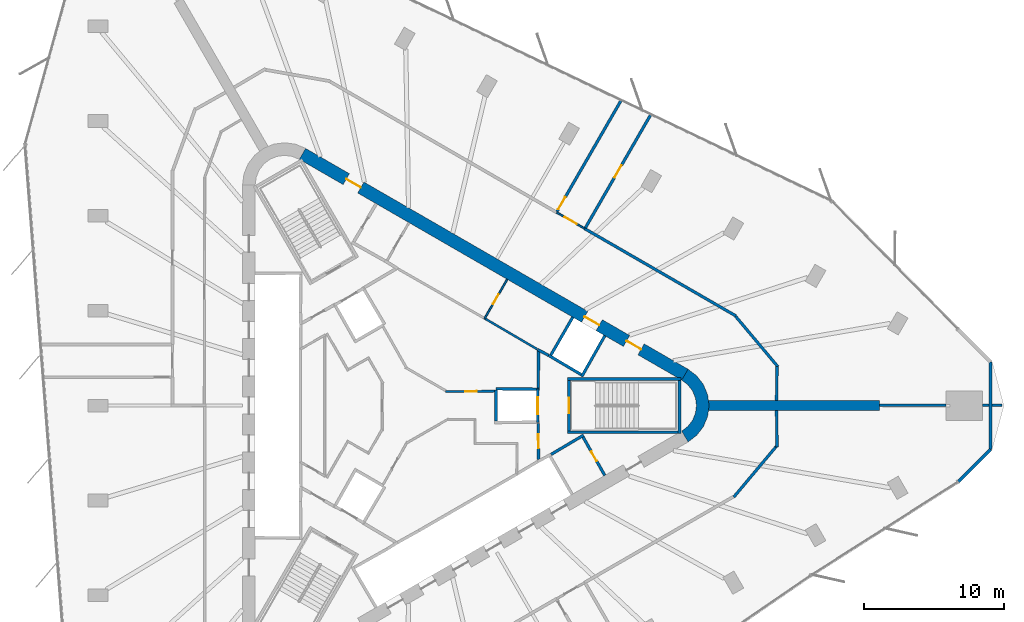
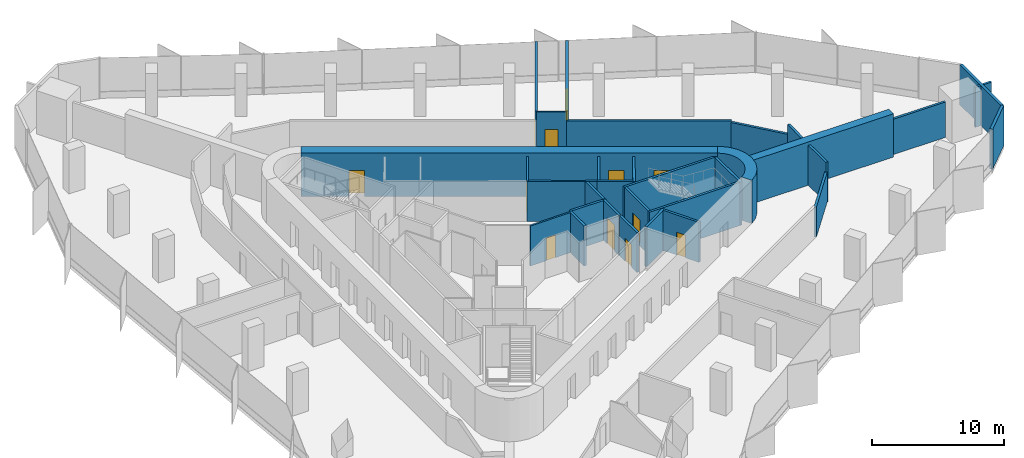
# One storey, part 11 of 13: 34 walls, 12 doors, 12 openings.
"""IFC4 building model written with IfcOpenShell, lengths in metres."""

from ifc_helpers import new_model, si_unit, direction, frame, frame_2d, origin, place, context, subcontext, project, spatial, polyline, rectangle, outline, extrude, material, layer, layer_set, type_object, element, fill, save


model = new_model("IFC4")

# Units and contexts
model_context = context("Model", 3, precision=1e-05, world=origin(), true_north=direction((0.0, 1.0)))
body_context = subcontext(model_context, "Body", "Model", "MODEL_VIEW")
ifc_project = project(units=[si_unit("LENGTHUNIT", "METRE"), si_unit("AREAUNIT", "SQUARE_METRE"), si_unit("VOLUMEUNIT", "CUBIC_METRE"), si_unit("PLANEANGLEUNIT", "RADIAN"), si_unit("MASSUNIT", "GRAM", prefix="KILO")], contexts=[model_context])

# Site, building, storey
site_placement = place(None, origin())
site = spatial("IfcSite", under=ifc_project, at=site_placement, CompositionType="ELEMENT")
building_placement = place(site_placement, origin())
building = spatial("IfcBuilding", under=site, at=building_placement, Name="Tanit Gate Tower", CompositionType="ELEMENT")
storey_placement = place(building_placement, frame((0.0, 0.0, 181.199951171875)))
storey = spatial("IfcBuildingStorey", under=building, at=storey_placement, Name="L39", CompositionType="ELEMENT", Elevation=181.199951171875)

# Wall
ifc_material_1 = material(Name="Concrete C50/60", Category="concrete")
ifc_layer_1 = layer(ifc_material_1, 0.699951171875)
ifc_layer_set_1 = layer_set([ifc_layer_1], Name="BUTTRESS FIN 700 C50/60")
wall_type_1 = type_object("IfcWallType", Name="BUTTRESS FIN 700 C50/60", PredefinedType="SHEAR", material=ifc_layer_set_1)
wall_1_placement = place(storey_placement, frame((21.14990234375, 0.0, 0.0), z_axis=(0.0, 0.0, 1.0), x_axis=(1.0, 0.0, 0.0)))
element("IfcWall", 1, at=wall_1_placement, inside=storey, type_object=wall_type_1, Name="BUTTRESS FIN", PredefinedType="SHEAR", context=body_context, shape_type="SweptSolid", body=[
    extrude(rectangle(XDim=12.2197265625, YDim=0.699951171875, at=frame_2d((6.10986328125, 0.0))), origin(), (0.0, 0.0, 1.0), 4.0),
])

# Wall, openings, doors
ifc_material_2 = material(Name="Concrete C50/60", Category="concrete")
ifc_layer_2 = layer(ifc_material_2, 0.89990234375)
ifc_layer_set_2 = layer_set([ifc_layer_2], Name="CORE WALL 900 C50/60")
wall_type_2 = type_object("IfcWallType", Name="CORE WALL 900 C50/60", PredefinedType="SHEAR", material=ifc_layer_set_2)
wall_2_placement = place(storey_placement, frame((19.47509765625, 2.20849609375, 0.0), z_axis=(0.0, 0.0, 1.0), x_axis=(-0.866028369851, 0.499994862586, 0.0)))
wall_2 = element("IfcWall", 2, at=wall_2_placement, inside=storey, type_object=wall_type_2, Name="CORE WALL", PredefinedType="SHEAR", context=body_context, shape_type="SweptSolid", body=[
    extrude(rectangle(XDim=31.523193359375, YDim=0.89990234375, at=frame_2d((15.76171875, 0.0))), origin(), (0.0, 0.0, 1.0), 4.0),
])
opening_1_placement = place(wall_2_placement, frame((7.0615234375, 0.0, 0.0)))
opening_1 = element("IfcOpeningElement", 3, at=opening_1_placement, cuts=wall_2, Name="Opening LDML8-S10", PredefinedType="OPENING", context=body_context, shape_type="SweptSolid", body=[
    extrude(rectangle(XDim=1.199951171875, YDim=2.39990234375, at=frame_2d((0.60009765625, 1.199951171875))), frame((0.0, 0.4599609375, 0.0), z_axis=(0.0, -1.0, 0.0), x_axis=(1.0, 0.0, 0.0)), (0.0, 0.0, 1.0), 0.919921875),
])
opening_2_placement = place(wall_2_placement, frame((3.611572265625, 0.0, 0.0)))
opening_2 = element("IfcOpeningElement", 4, at=opening_2_placement, cuts=wall_2, Name="Opening F12-S10-FL1", PredefinedType="OPENING", context=body_context, shape_type="SweptSolid", body=[
    extrude(rectangle(XDim=1.199951171875, YDim=2.39990234375, at=frame_2d((0.60009765625, 1.199951171875))), frame((0.0, 0.4599609375, 0.0), z_axis=(0.0, -1.0, 0.0), x_axis=(1.0, 0.0, 0.0)), (0.0, 0.0, 1.0), 0.919921875),
])
opening_3_placement = place(wall_2_placement, frame((26.711669921875, 0.0, 0.0)))
opening_3 = element("IfcOpeningElement", 5, at=opening_3_placement, cuts=wall_2, Name="Opening F12-S10-S2", PredefinedType="OPENING", context=body_context, shape_type="SweptSolid", body=[
    extrude(rectangle(XDim=1.199951171875, YDim=2.39990234375, at=frame_2d((0.60009765625, 1.199951171875))), frame((0.0, 0.4599609375, 0.0), z_axis=(0.0, -1.0, 0.0), x_axis=(1.0, 0.0, 0.0)), (0.0, 0.0, 1.0), 0.919921875),
])
ifc_material_3 = material(Name="Fire-rated steel door leaf", Category="steel")
door_type_1 = type_object("IfcDoorType", Name="INT-DOOR-FIRE-LOBBY-1200", OperationType="NOTDEFINED", PredefinedType="USERDEFINED", material=ifc_material_3)
door_1_placement = place(opening_2_placement, origin())
door_1 = element("IfcDoor", 6, at=door_1_placement, inside=storey, type_object=door_type_1, Name="Door F12-S10-FL1", ObjectType="FIRE DOOR", OperationType="SINGLE_SWING_LEFT", OverallHeight=2.39990234375, OverallWidth=1.199951171875, PredefinedType="USERDEFINED", context=body_context, shape_type="SweptSolid", body=[
    extrude(rectangle(XDim=1.199951171875, YDim=2.39990234375, at=frame_2d((0.60009765625, 1.199951171875))), frame((0.0, 0.02490234375, 0.0), z_axis=(0.0, -1.0, 0.0), x_axis=(1.0, 0.0, 0.0)), (0.0, 0.0, 1.0), 0.050048828125),
])
fill(opening_2, door_1)
door_2_placement = place(opening_3_placement, origin())
door_2 = element("IfcDoor", 7, at=door_2_placement, inside=storey, type_object=door_type_1, Name="Door F12-S10-S2", ObjectType="FIRE DOOR", OperationType="SINGLE_SWING_LEFT", OverallHeight=2.39990234375, OverallWidth=1.199951171875, PredefinedType="USERDEFINED", context=body_context, shape_type="SweptSolid", body=[
    extrude(rectangle(XDim=1.199951171875, YDim=2.39990234375, at=frame_2d((0.60009765625, 1.199951171875))), frame((0.0, 0.02490234375, 0.0), z_axis=(0.0, -1.0, 0.0), x_axis=(1.0, 0.0, 0.0)), (0.0, 0.0, 1.0), 0.050048828125),
])
fill(opening_3, door_2)
ifc_material_4 = material(Name="Stainless steel sliding door leaf", Category="steel")
door_type_2 = type_object("IfcDoorType", Name="INT-DOOR-LANDING-1200", OperationType="NOTDEFINED", PredefinedType="USERDEFINED", material=ifc_material_4)
door_3_placement = place(opening_1_placement, origin())
door_3 = element("IfcDoor", 8, at=door_3_placement, inside=storey, type_object=door_type_2, Name="Door LDML8-S10", ObjectType="LANDING DOOR", OperationType="SLIDING_TO_LEFT", OverallHeight=2.39990234375, OverallWidth=1.199951171875, PredefinedType="USERDEFINED", context=body_context, shape_type="SweptSolid", body=[
    extrude(rectangle(XDim=1.199951171875, YDim=2.39990234375, at=frame_2d((0.60009765625, 1.199951171875))), frame((0.0, 0.02490234375, 0.0), z_axis=(0.0, -1.0, 0.0), x_axis=(1.0, 0.0, 0.0)), (0.0, 0.0, 1.0), 0.050048828125),
])
fill(opening_1, door_3)

# Walls
wall_3_placement = place(storey_placement, origin())
element("IfcWall", 9, at=wall_3_placement, inside=storey, type_object=wall_type_2, Name="CORE WALL CORNER", PredefinedType="SHEAR", context=body_context, shape_type="SweptSolid", body=[
    extrude(outline(polyline([(19.699951171875, -2.59814453125), (20.3212890625, -2.121337890625), (20.798095703125, -1.5), (21.097900390625, -0.776611328125), (21.199951171875, 0.0), (21.097900390625, 0.776611328125), (20.798095703125, 1.5), (20.3212890625, 2.121337890625), (19.699951171875, 2.59814453125), (19.25, 1.818603515625), (19.684814453125, 1.48486328125), (20.018798828125, 1.050048828125), (20.228515625, 0.54345703125), (20.300048828125, 0.0), (20.228515625, -0.54345703125), (20.018798828125, -1.050048828125), (19.684814453125, -1.48486328125), (19.25, -1.818603515625), (19.699951171875, -2.59814453125)])), origin(), (0.0, 0.0, 1.0), 4.0),
])
ifc_material_5 = material(Name="Concrete C30/37 with bronze anodised aluminium cladding", Category="concrete")
ifc_layer_3 = layer(ifc_material_5, 0.239990234375)
ifc_layer_set_3 = layer_set([ifc_layer_3], Name="Facade wall bronze clad 240")
wall_type_3 = type_object("IfcWallType", Name="Facade wall bronze clad 240", PredefinedType="SOLIDWALL", material=ifc_layer_set_3)
wall_4_placement = place(storey_placement, frame((38.98828125, -5.428466796875, 0.0), z_axis=(0.0, 0.0, 1.0), x_axis=(0.707144274587, 0.707069285798, 0.0)))
element("IfcWall", 10, at=wall_4_placement, inside=storey, type_object=wall_type_3, Name="Bronze-clad facade wall L39 E.arc1", PredefinedType="SOLIDWALL", context=body_context, shape_type="SweptSolid", body=[
    extrude(rectangle(XDim=3.255615234375, YDim=0.239990234375, at=frame_2d((1.6279296875, 0.0))), origin(), (0.0, 0.0, 1.0), 3.699951171875),
])
wall_5_placement = place(storey_placement, frame((41.29052734375, -3.12646484375, 0.0), z_axis=(0.0, 0.0, 1.0), x_axis=(0.0, 1.0, 0.0)))
element("IfcWall", 11, at=wall_5_placement, inside=storey, type_object=wall_type_3, Name="Bronze-clad facade wall L39 E.arc2", PredefinedType="SOLIDWALL", context=body_context, shape_type="SweptSolid", body=[
    extrude(rectangle(XDim=6.2529296875, YDim=0.239990234375, at=frame_2d((3.12646484375, 0.0))), origin(), (0.0, 0.0, 1.0), 3.699951171875),
])
ifc_material_6 = material(Name="Fire-rated gypsum board partition")
ifc_layer_4 = layer(ifc_material_6, 0.199951171875)
ifc_layer_set_4 = layer_set([ifc_layer_4], Name="INT-WALL-COMPARTMENT")
wall_type_4 = type_object("IfcWallType", Name="INT-WALL-COMPARTMENT", PredefinedType="PARTITIONING", material=ifc_layer_set_4)
wall_6_placement = place(storey_placement, frame((8.97412109375, 3.998779296875, 0.0), z_axis=(0.0, 0.0, 1.0), x_axis=(0.880917147855, -0.473270513147, 0.0)))
element("IfcWall", 12, at=wall_6_placement, inside=storey, type_object=wall_type_4, Name="Wall Compartment W050", PredefinedType="PARTITIONING", context=body_context, shape_type="SweptSolid", body=[
    extrude(rectangle(XDim=0.8779296875, YDim=0.199951171875, at=frame_2d((0.43896484375, 0.0))), origin(), (0.0, 0.0, 1.0), 3.699951171875),
])
wall_7_placement = place(storey_placement, frame((12.244873046875, -2.10888671875, 0.0), z_axis=(0.0, 0.0, 1.0), x_axis=(-0.860414880418, -0.509594185166, 0.0)))
element("IfcWall", 13, at=wall_7_placement, inside=storey, type_object=wall_type_4, Name="Wall Compartment W057", PredefinedType="PARTITIONING", context=body_context, shape_type="SweptSolid", body=[
    extrude(rectangle(XDim=2.7001953125, YDim=0.199951171875, at=frame_2d((1.35009765625, 0.0))), origin(), (0.0, 0.0, 1.0), 3.699951171875),
])

# Wall, opening, door
wall_8_placement = place(storey_placement, frame((13.758056640625, -4.989501953125, 0.0), z_axis=(0.0, 0.0, 1.0), x_axis=(-0.491993409184, 0.87059892334, 0.0)))
wall_8 = element("IfcWall", 14, at=wall_8_placement, inside=storey, type_object=wall_type_4, Name="Wall Compartment W058", PredefinedType="PARTITIONING", context=body_context, shape_type="SweptSolid", body=[
    extrude(rectangle(XDim=3.150146484375, YDim=0.199951171875, at=frame_2d((1.5751953125, 0.0))), origin(), (0.0, 0.0, 1.0), 3.699951171875),
])
opening_4_placement = place(wall_8_placement, frame((1.175048828125, 0.0, 0.0)))
opening_4 = element("IfcOpeningElement", 15, at=opening_4_placement, cuts=wall_8, Name="Opening R08-S10-16", PredefinedType="OPENING", context=body_context, shape_type="SweptSolid", body=[
    extrude(rectangle(XDim=0.800048828125, YDim=2.10009765625, at=frame_2d((0.39990234375, 1.050048828125))), frame((0.0, 0.10986328125, 0.0), z_axis=(0.0, -1.0, 0.0), x_axis=(1.0, 0.0, 0.0)), (0.0, 0.0, 1.0), 0.219970703125),
])
ifc_material_7 = material(Name="Timber door leaf", Category="wood")
door_type_3 = type_object("IfcDoorType", Name="INT-DOOR-RISER-800", OperationType="NOTDEFINED", PredefinedType="USERDEFINED", material=ifc_material_7)
door_4_placement = place(opening_4_placement, origin())
door_4 = element("IfcDoor", 16, at=door_4_placement, inside=storey, type_object=door_type_3, Name="Door R08-S10-16", ObjectType="FIRE DOOR", OperationType="SINGLE_SWING_RIGHT", OverallHeight=2.10009765625, OverallWidth=0.800048828125, PredefinedType="USERDEFINED", context=body_context, shape_type="SweptSolid", body=[
    extrude(rectangle(XDim=0.800048828125, YDim=2.10009765625, at=frame_2d((0.39990234375, 1.050048828125))), frame((0.0, 0.02490234375, 0.0), z_axis=(0.0, -1.0, 0.0), x_axis=(1.0, 0.0, 0.0)), (0.0, 0.0, 1.0), 0.050048828125),
])
fill(opening_4, door_4)

# Wall
wall_9_placement = place(storey_placement, frame((9.0009765625, 1.27001953125, 0.0), z_axis=(0.0, 0.0, 1.0), x_axis=(0.01074821465, 0.999942236273, 0.0)))
element("IfcWall", 17, at=wall_9_placement, inside=storey, type_object=wall_type_4, Name="Wall Compartment W059", PredefinedType="PARTITIONING", context=body_context, shape_type="SweptSolid", body=[
    extrude(rectangle(XDim=2.725830078125, YDim=0.199951171875, at=frame_2d((1.36279296875, 0.0))), origin(), (0.0, 0.0, 1.0), 3.699951171875),
])

# Wall, opening, door
wall_10_placement = place(storey_placement, frame((9.02880859375, -3.850830078125, 0.0), z_axis=(0.0, 0.0, 1.0), x_axis=(-0.010783593937, 0.99994185536, 0.0)))
wall_10 = element("IfcWall", 18, at=wall_10_placement, inside=storey, type_object=wall_type_4, Name="Wall Compartment W060", PredefinedType="PARTITIONING", context=body_context, shape_type="SweptSolid", body=[
    extrude(rectangle(XDim=2.5810546875, YDim=0.199951171875, at=frame_2d((1.29052734375, 0.0))), origin(), (0.0, 0.0, 1.0), 3.699951171875),
])
opening_5_placement = place(wall_10_placement, frame((0.79052734375, 0.0, 0.0)))
opening_5 = element("IfcOpeningElement", 19, at=opening_5_placement, cuts=wall_10, Name="Opening F10-S10-02", PredefinedType="OPENING", context=body_context, shape_type="SweptSolid", body=[
    extrude(rectangle(XDim=1.0, YDim=2.10009765625, at=frame_2d((0.5, 1.050048828125))), frame((0.0, 0.10986328125, 0.0), z_axis=(0.0, -1.0, 0.0), x_axis=(1.0, 0.0, 0.0)), (0.0, 0.0, 1.0), 0.219970703125),
])
ifc_material_8 = material(Name="Fire-rated steel door leaf", Category="steel")
door_type_4 = type_object("IfcDoorType", Name="INT-DOOR-FIRE-1000", OperationType="NOTDEFINED", PredefinedType="USERDEFINED", material=ifc_material_8)
door_5_placement = place(opening_5_placement, origin())
door_5 = element("IfcDoor", 20, at=door_5_placement, inside=storey, type_object=door_type_4, Name="Door F10-S10-02", ObjectType="FIRE DOOR", OperationType="SINGLE_SWING_RIGHT", OverallHeight=2.10009765625, OverallWidth=1.0, PredefinedType="USERDEFINED", context=body_context, shape_type="SweptSolid", body=[
    extrude(rectangle(XDim=1.0, YDim=2.10009765625, at=frame_2d((0.5, 1.050048828125))), frame((0.0, 0.02490234375, 0.0), z_axis=(0.0, -1.0, 0.0), x_axis=(1.0, 0.0, 0.0)), (0.0, 0.0, 1.0), 0.050048828125),
])
fill(opening_5, door_5)

# Walls
wall_11_placement = place(storey_placement, frame((23.118896484375, 6.397705078125, 0.0), z_axis=(0.0, 0.0, 1.0), x_axis=(-0.866027821991, 0.499995811521, 0.0)))
element("IfcWall", 21, at=wall_11_placement, inside=storey, type_object=wall_type_4, Name="Wall Compartment W100", PredefinedType="PARTITIONING", context=body_context, shape_type="SweptSolid", body=[
    extrude(rectangle(XDim=12.47265625, YDim=0.199951171875, at=frame_2d((6.236328125, 0.0))), origin(), (0.0, 0.0, 1.0), 2.880126953125),
])
wall_12_placement = place(storey_placement, frame((26.12109375, 2.766357421875, 0.0), z_axis=(0.0, 0.0, 1.0), x_axis=(-0.642778291452, 0.766052261949, 0.0)))
element("IfcWall", 22, at=wall_12_placement, inside=storey, type_object=wall_type_4, Name="Wall Compartment W101", PredefinedType="PARTITIONING", context=body_context, shape_type="SweptSolid", body=[
    extrude(rectangle(XDim=4.70556640625, YDim=0.199951171875, at=frame_2d((2.352783203125, 0.0))), origin(), (0.0, 0.0, 1.0), 2.780029296875),
])
wall_13_placement = place(storey_placement, frame((26.019775390625, 0.35009765625, 0.0), z_axis=(0.0, 0.0, 1.0), x_axis=(0.010532007244, 0.999944536874, 0.0)))
element("IfcWall", 23, at=wall_13_placement, inside=storey, type_object=wall_type_4, Name="Wall Compartment W102", PredefinedType="PARTITIONING", context=body_context, shape_type="SweptSolid", body=[
    extrude(rectangle(XDim=2.457275390625, YDim=0.199951171875, at=frame_2d((1.228515625, 0.0))), origin(), (0.0, 0.0, 1.0), 3.699951171875),
])
wall_14_placement = place(storey_placement, frame((26.04736328125, -2.972412109375, 0.0), z_axis=(0.0, 0.0, 1.0), x_axis=(-0.010519853563, 0.99994466481, 0.0)))
element("IfcWall", 24, at=wall_14_placement, inside=storey, type_object=wall_type_4, Name="Wall Compartment W105", PredefinedType="PARTITIONING", context=body_context, shape_type="SweptSolid", body=[
    extrude(rectangle(XDim=2.62255859375, YDim=0.199951171875, at=frame_2d((1.311279296875, 0.0))), origin(), (0.0, 0.0, 1.0), 3.699951171875),
])
wall_15_placement = place(storey_placement, frame((22.968017578125, -6.5244140625, 0.0), z_axis=(0.0, 0.0, 1.0), x_axis=(0.642764400317, 0.766063917493, 0.0)))
element("IfcWall", 25, at=wall_15_placement, inside=storey, type_object=wall_type_4, Name="Wall Compartment W106", PredefinedType="PARTITIONING", context=body_context, shape_type="SweptSolid", body=[
    extrude(rectangle(XDim=4.740234375, YDim=0.199951171875, at=frame_2d((2.3701171875, 0.0))), origin(), (0.0, 0.0, 1.0), 2.780029296875),
])

# Wall, opening, door
wall_16_placement = place(storey_placement, frame((14.923828125, 21.788818359375, 0.0), z_axis=(0.0, 0.0, 1.0), x_axis=(-0.499989745068, -0.866031324391, 0.0)))
wall_16 = element("IfcWall", 26, at=wall_16_placement, inside=storey, type_object=wall_type_4, Name="Wall Compartment W119", PredefinedType="PARTITIONING", context=body_context, shape_type="SweptSolid", body=[
    extrude(rectangle(XDim=9.171630859375, YDim=0.199951171875, at=frame_2d((4.5859375, 0.0))), origin(), (0.0, 0.0, 1.0), 3.699951171875),
])
opening_6_placement = place(wall_16_placement, frame((7.9716796875, 0.0, 0.0)))
opening_6 = element("IfcOpeningElement", 27, at=opening_6_placement, cuts=wall_16, Name="Opening F10-S10-27", PredefinedType="OPENING", context=body_context, shape_type="SweptSolid", body=[
    extrude(rectangle(XDim=1.0, YDim=2.10009765625, at=frame_2d((0.5, 1.050048828125))), frame((0.0, 0.10986328125, 0.0), z_axis=(0.0, -1.0, 0.0), x_axis=(1.0, 0.0, 0.0)), (0.0, 0.0, 1.0), 0.219970703125),
])
door_6_placement = place(opening_6_placement, origin())
door_6 = element("IfcDoor", 28, at=door_6_placement, inside=storey, type_object=door_type_4, Name="Door F10-S10-27", ObjectType="FIRE DOOR", OperationType="SINGLE_SWING_RIGHT", OverallHeight=2.10009765625, OverallWidth=1.0, PredefinedType="USERDEFINED", context=body_context, shape_type="SweptSolid", body=[
    extrude(rectangle(XDim=1.0, YDim=2.10009765625, at=frame_2d((0.5, 1.050048828125))), frame((0.0, 0.02490234375, 0.0), z_axis=(0.0, -1.0, 0.0), x_axis=(1.0, 0.0, 0.0)), (0.0, 0.0, 1.0), 0.050048828125),
])
fill(opening_6, door_6)

wall_17_placement = place(storey_placement, frame((12.364501953125, 12.676025390625, 0.0), z_axis=(0.0, 0.0, 1.0), x_axis=(0.499998839552, 0.866026073768, 0.0)))
wall_17 = element("IfcWall", 29, at=wall_17_placement, inside=storey, type_object=wall_type_4, Name="Wall Compartment W120", PredefinedType="PARTITIONING", context=body_context, shape_type="SweptSolid", body=[
    extrude(rectangle(XDim=9.35400390625, YDim=0.199951171875, at=frame_2d((4.677001953125, 0.0))), origin(), (0.0, 0.0, 1.0), 3.699951171875),
])
opening_7_placement = place(wall_17_placement, frame((4.177001953125, 0.0, 0.0)))
opening_7 = element("IfcOpeningElement", 30, at=opening_7_placement, cuts=wall_17, Name="Opening F10-S10-28", PredefinedType="OPENING", context=body_context, shape_type="SweptSolid", body=[
    extrude(rectangle(XDim=1.0, YDim=2.10009765625, at=frame_2d((0.5, 1.050048828125))), frame((0.0, 0.10986328125, 0.0), z_axis=(0.0, -1.0, 0.0), x_axis=(1.0, 0.0, 0.0)), (0.0, 0.0, 1.0), 0.219970703125),
])
door_7_placement = place(opening_7_placement, origin())
door_7 = element("IfcDoor", 31, at=door_7_placement, inside=storey, type_object=door_type_4, Name="Door F10-S10-28", ObjectType="FIRE DOOR", OperationType="SINGLE_SWING_RIGHT", OverallHeight=2.10009765625, OverallWidth=1.0, PredefinedType="USERDEFINED", context=body_context, shape_type="SweptSolid", body=[
    extrude(rectangle(XDim=1.0, YDim=2.10009765625, at=frame_2d((0.5, 1.050048828125))), frame((0.0, 0.02490234375, 0.0), z_axis=(0.0, -1.0, 0.0), x_axis=(1.0, 0.0, 0.0)), (0.0, 0.0, 1.0), 0.050048828125),
])
fill(opening_7, door_7)

# Walls
wall_18_placement = place(storey_placement, frame((33.36962890625, 0.030029296875, 0.0), z_axis=(0.0, 0.0, 1.0), x_axis=(1.0, 0.0, 0.0)))
element("IfcWall", 32, at=wall_18_placement, inside=storey, type_object=wall_type_4, Name="Wall Compartment W121", PredefinedType="PARTITIONING", context=body_context, shape_type="SweptSolid", body=[
    extrude(rectangle(XDim=4.732666015625, YDim=0.199951171875, at=frame_2d((2.3662109375, 0.0))), origin(), (0.0, 0.0, 1.0), 3.27001953125),
])
wall_19_placement = place(storey_placement, frame((40.702392578125, 0.030029296875, 0.0), z_axis=(0.0, 0.0, 1.0), x_axis=(1.0, 0.0, 0.0)))
element("IfcWall", 33, at=wall_19_placement, inside=storey, type_object=wall_type_4, Name="Wall Compartment W122", PredefinedType="PARTITIONING", context=body_context, shape_type="SweptSolid", body=[
    extrude(rectangle(XDim=0.468017578125, YDim=0.199951171875, at=frame_2d((0.23388671875, 0.0))), origin(), (0.0, 0.0, 1.0), 3.699951171875),
])
wall_20_placement = place(storey_placement, frame((41.410400390625, 0.030029296875, 0.0), z_axis=(0.0, 0.0, 1.0), x_axis=(1.0, 0.0, 0.0)))
element("IfcWall", 34, at=wall_20_placement, inside=storey, type_object=wall_type_4, Name="Wall Compartment W122x1", PredefinedType="PARTITIONING", context=body_context, shape_type="SweptSolid", body=[
    extrude(rectangle(XDim=0.709716796875, YDim=0.199951171875, at=frame_2d((0.35498046875, 0.0))), origin(), (0.0, 0.0, 1.0), 3.699951171875),
])

# Wall, opening, door
ifc_material_9 = material(Name="Gypsum board partition")
ifc_layer_5 = layer(ifc_material_9, 0.1201171875)
ifc_layer_set_5 = layer_set([ifc_layer_5], Name="INT-WALL-PARTITION")
wall_type_5 = type_object("IfcWallType", Name="INT-WALL-PARTITION", PredefinedType="PARTITIONING", material=ifc_layer_set_5)
wall_21_placement = place(storey_placement, frame((5.170166015625, 6.19482421875, 0.0), z_axis=(0.0, 0.0, 1.0), x_axis=(0.499984717929, 0.866034226713, 0.0)))
wall_21 = element("IfcWall", 35, at=wall_21_placement, inside=storey, type_object=wall_type_5, Name="Wall Partition W049", PredefinedType="PARTITIONING", context=body_context, shape_type="SweptSolid", body=[
    extrude(rectangle(XDim=3.25, YDim=0.1201171875, at=frame_2d((1.625, 0.0))), origin(), (0.0, 0.0, 1.0), 3.699951171875),
])
opening_8_placement = place(wall_21_placement, frame((1.22509765625, 0.0, 0.0)))
opening_8 = element("IfcOpeningElement", 36, at=opening_8_placement, cuts=wall_21, Name="Opening R08-S10-14", PredefinedType="OPENING", context=body_context, shape_type="SweptSolid", body=[
    extrude(rectangle(XDim=0.800048828125, YDim=2.10009765625, at=frame_2d((0.39990234375, 1.050048828125))), frame((0.0, 0.070068359375, 0.0), z_axis=(0.0, -1.0, 0.0), x_axis=(1.0, 0.0, 0.0)), (0.0, 0.0, 1.0), 0.14013671875),
])
door_8_placement = place(opening_8_placement, origin())
door_8 = element("IfcDoor", 37, at=door_8_placement, inside=storey, type_object=door_type_3, Name="Door R08-S10-14", ObjectType="FIRE DOOR", OperationType="SINGLE_SWING_LEFT", OverallHeight=2.10009765625, OverallWidth=0.800048828125, PredefinedType="USERDEFINED", context=body_context, shape_type="SweptSolid", body=[
    extrude(rectangle(XDim=0.800048828125, YDim=2.10009765625, at=frame_2d((0.39990234375, 1.050048828125))), frame((0.0, 0.02490234375, 0.0), z_axis=(0.0, -1.0, 0.0), x_axis=(1.0, 0.0, 0.0)), (0.0, 0.0, 1.0), 0.050048828125),
])
fill(opening_8, door_8)

wall_22_placement = place(storey_placement, frame((10.325439453125, 13.783935546875, 0.0), z_axis=(0.0, 0.0, 1.0), x_axis=(0.86602648383, -0.499998129301, 0.0)))
wall_22 = element("IfcWall", 38, at=wall_22_placement, inside=storey, type_object=wall_type_5, Name="Wall Partition W096", PredefinedType="PARTITIONING", context=body_context, shape_type="SweptSolid", body=[
    extrude(rectangle(XDim=2.2998046875, YDim=0.1201171875, at=frame_2d((1.14990234375, 0.0))), origin(), (0.0, 0.0, 1.0), 3.699951171875),
])
opening_9_placement = place(wall_22_placement, frame((0.64990234375, 0.0, 0.0)))
opening_9 = element("IfcOpeningElement", 39, at=opening_9_placement, cuts=wall_22, Name="Opening D10-S10-19", PredefinedType="OPENING", context=body_context, shape_type="SweptSolid", body=[
    extrude(rectangle(XDim=1.0, YDim=2.10009765625, at=frame_2d((0.5, 1.050048828125))), frame((0.0, 0.070068359375, 0.0), z_axis=(0.0, -1.0, 0.0), x_axis=(1.0, 0.0, 0.0)), (0.0, 0.0, 1.0), 0.14013671875),
])
ifc_material_10 = material(Name="Timber door leaf", Category="wood")
door_type_5 = type_object("IfcDoorType", Name="INT-DOOR-SINGLE-1000", OperationType="NOTDEFINED", PredefinedType="NOTDEFINED", material=ifc_material_10)
door_9_placement = place(opening_9_placement, origin())
door_9 = element("IfcDoor", 40, at=door_9_placement, inside=storey, type_object=door_type_5, Name="Door D10-S10-19", OperationType="SINGLE_SWING_RIGHT", OverallHeight=2.10009765625, OverallWidth=1.0, PredefinedType="NOTDEFINED", context=body_context, shape_type="SweptSolid", body=[
    extrude(rectangle(XDim=1.0, YDim=2.10009765625, at=frame_2d((0.5, 1.050048828125))), frame((0.0, 0.02490234375, 0.0), z_axis=(0.0, -1.0, 0.0), x_axis=(1.0, 0.0, 0.0)), (0.0, 0.0, 1.0), 0.050048828125),
])
fill(opening_9, door_9)

# Wall
ifc_material_11 = material(Name="Fire-rated gypsum board partition")
ifc_layer_6 = layer(ifc_material_11, 0.14990234375)
ifc_layer_set_6 = layer_set([ifc_layer_6], Name="INT-WALL-RISER")
wall_type_6 = type_object("IfcWallType", Name="INT-WALL-RISER", PredefinedType="PLUMBINGWALL", material=ifc_layer_set_6)
wall_23_placement = place(storey_placement, frame((8.9306640625, 4.024658203125, 0.0), z_axis=(0.0, 0.0, 1.0), x_axis=(-0.862666884027, 0.505772525157, 0.0)))
element("IfcWall", 41, at=wall_23_placement, inside=storey, type_object=wall_type_6, Name="Wall Riser W051", PredefinedType="PLUMBINGWALL", context=body_context, shape_type="SweptSolid", body=[
    extrude(rectangle(XDim=4.371826171875, YDim=0.14990234375, at=frame_2d((2.18603515625, 0.0))), origin(), (0.0, 0.0, 1.0), 3.699951171875),
])

# Wall, opening, door
wall_24_placement = place(storey_placement, frame((2.384033203125, 0.9990234375, 0.0), z_axis=(0.0, 0.0, 1.0), x_axis=(0.999964703434, 0.008401897723, 0.0)))
wall_24 = element("IfcWall", 42, at=wall_24_placement, inside=storey, type_object=wall_type_6, Name="Wall Riser W065", PredefinedType="PLUMBINGWALL", context=body_context, shape_type="SweptSolid", body=[
    extrude(rectangle(XDim=3.51611328125, YDim=0.14990234375, at=frame_2d((1.758056640625, 0.0))), origin(), (0.0, 0.0, 1.0), 3.699951171875),
])
opening_10_placement = place(wall_24_placement, frame((1.421630859375, 0.0, 0.0)))
opening_10 = element("IfcOpeningElement", 43, at=opening_10_placement, cuts=wall_24, Name="Opening R08-S10-10", PredefinedType="OPENING", context=body_context, shape_type="SweptSolid", body=[
    extrude(rectangle(XDim=0.800048828125, YDim=2.10009765625, at=frame_2d((0.39990234375, 1.050048828125))), frame((0.0, 0.0849609375, 0.0), z_axis=(0.0, -1.0, 0.0), x_axis=(1.0, 0.0, 0.0)), (0.0, 0.0, 1.0), 0.169921875),
])
door_10_placement = place(opening_10_placement, origin())
door_10 = element("IfcDoor", 44, at=door_10_placement, inside=storey, type_object=door_type_3, Name="Door R08-S10-10", ObjectType="FIRE DOOR", OperationType="SINGLE_SWING_LEFT", OverallHeight=2.10009765625, OverallWidth=0.800048828125, PredefinedType="USERDEFINED", context=body_context, shape_type="SweptSolid", body=[
    extrude(rectangle(XDim=0.800048828125, YDim=2.10009765625, at=frame_2d((0.39990234375, 1.050048828125))), frame((0.0, 0.02490234375, 0.0), z_axis=(0.0, -1.0, 0.0), x_axis=(1.0, 0.0, 0.0)), (0.0, 0.0, 1.0), 0.050048828125),
])
fill(opening_10, door_10)

# Walls
ifc_material_12 = material(Name="Gypsum shaft wall system")
ifc_layer_7 = layer(ifc_material_12, 0.199951171875)
ifc_layer_set_7 = layer_set([ifc_layer_7], Name="INT-WALL-SHAFT")
wall_type_7 = type_object("IfcWallType", Name="INT-WALL-SHAFT", PredefinedType="PLUMBINGWALL", material=ifc_layer_set_7)
wall_25_placement = place(storey_placement, frame((9.8466796875, 3.494873046875, 0.0), z_axis=(0.0, 0.0, 1.0), x_axis=(0.499984717929, 0.866034226713, 0.0)))
element("IfcWall", 45, at=wall_25_placement, inside=storey, type_object=wall_type_7, Name="Wall Shaft W012", PredefinedType="PLUMBINGWALL", context=body_context, shape_type="SweptSolid", body=[
    extrude(rectangle(XDim=3.25, YDim=0.199951171875, at=frame_2d((1.625, 0.0))), origin(), (0.0, 0.0, 1.0), 3.699951171875),
])
wall_26_placement = place(storey_placement, frame((12.10986328125, 2.07275390625, 0.0), z_axis=(0.0, 0.0, 1.0), x_axis=(0.49196600604, 0.870614408852, 0.0)))
element("IfcWall", 46, at=wall_26_placement, inside=storey, type_object=wall_type_7, Name="Wall Shaft W013", PredefinedType="PLUMBINGWALL", context=body_context, shape_type="SweptSolid", body=[
    extrude(rectangle(XDim=3.35009765625, YDim=0.199951171875, at=frame_2d((1.675048828125, 0.0))), origin(), (0.0, 0.0, 1.0), 3.699951171875),
])
wall_27_placement = place(storey_placement, frame((12.072998046875, 2.2109375, 0.0), z_axis=(0.0, 0.0, 1.0), x_axis=(-0.860414880418, 0.509594185166, 0.0)))
element("IfcWall", 47, at=wall_27_placement, inside=storey, type_object=wall_type_7, Name="Wall Shaft W014", PredefinedType="PLUMBINGWALL", context=body_context, shape_type="SweptSolid", body=[
    extrude(rectangle(XDim=2.7001953125, YDim=0.199951171875, at=frame_2d((1.35009765625, 0.0))), origin(), (0.0, 0.0, 1.0), 3.699951171875),
])

# Wall, opening, door
wall_28_placement = place(storey_placement, frame((8.969970703125, 1.199951171875, 0.0), z_axis=(0.0, 0.0, 1.0), x_axis=(0.0, -1.0, 0.0)))
wall_28 = element("IfcWall", 48, at=wall_28_placement, inside=storey, type_object=wall_type_7, Name="Wall Shaft W029", PredefinedType="PLUMBINGWALL", context=body_context, shape_type="SweptSolid", body=[
    extrude(rectangle(XDim=2.39990234375, YDim=0.199951171875, at=frame_2d((1.199951171875, 0.0))), origin(), (0.0, 0.0, 1.0), 3.699951171875),
])
opening_11_placement = place(wall_28_placement, frame((0.60009765625, 0.0, 0.0)))
opening_11 = element("IfcOpeningElement", 49, at=opening_11_placement, cuts=wall_28, Name="Opening LDFL1-L39", PredefinedType="OPENING", context=body_context, shape_type="SweptSolid", body=[
    extrude(rectangle(XDim=1.199951171875, YDim=2.39990234375, at=frame_2d((0.60009765625, 1.199951171875))), frame((0.0, 0.10986328125, 0.0), z_axis=(0.0, -1.0, 0.0), x_axis=(1.0, 0.0, 0.0)), (0.0, 0.0, 1.0), 0.219970703125),
])
door_11_placement = place(opening_11_placement, origin())
door_11 = element("IfcDoor", 50, at=door_11_placement, inside=storey, type_object=door_type_2, Name="Door LDFL1-L39", ObjectType="LANDING DOOR", OperationType="SLIDING_TO_LEFT", OverallHeight=2.39990234375, OverallWidth=1.199951171875, PredefinedType="USERDEFINED", context=body_context, shape_type="SweptSolid", body=[
    extrude(rectangle(XDim=1.199951171875, YDim=2.39990234375, at=frame_2d((0.60009765625, 1.199951171875))), frame((0.0, 0.02490234375, 0.0), z_axis=(0.0, -1.0, 0.0), x_axis=(1.0, 0.0, 0.0)), (0.0, 0.0, 1.0), 0.050048828125),
])
fill(opening_11, door_11)

# Walls
wall_29_placement = place(storey_placement, frame((6.0, 1.199951171875, 0.0), z_axis=(0.0, 0.0, 1.0), x_axis=(0.999949988, -0.010001074852, 0.0)))
element("IfcWall", 51, at=wall_29_placement, inside=storey, type_object=wall_type_7, Name="Wall Shaft W030", PredefinedType="PLUMBINGWALL", context=body_context, shape_type="SweptSolid", body=[
    extrude(rectangle(XDim=3.100341796875, YDim=0.199951171875, at=frame_2d((1.55029296875, 0.0))), origin(), (0.0, 0.0, 1.0), 3.699951171875),
])
wall_30_placement = place(storey_placement, frame((6.0, -1.10009765625, 0.0), z_axis=(0.0, 0.0, 1.0), x_axis=(0.0, 1.0, 0.0)))
element("IfcWall", 52, at=wall_30_placement, inside=storey, type_object=wall_type_7, Name="Wall Shaft W032", PredefinedType="PLUMBINGWALL", context=body_context, shape_type="SweptSolid", body=[
    extrude(rectangle(XDim=2.20458984375, YDim=0.199951171875, at=frame_2d((1.102294921875, 0.0))), origin(), (0.0, 0.0, 1.0), 3.699951171875),
])
ifc_material_13 = material(Name="Concrete C40/50", Category="concrete")
ifc_layer_8 = layer(ifc_material_13, 0.199951171875)
ifc_layer_set_8 = layer_set([ifc_layer_8], Name="INT-WALL-STAIR")
wall_type_8 = type_object("IfcWallType", Name="INT-WALL-STAIR", PredefinedType="SHEAR", material=ifc_layer_set_8)
wall_31_placement = place(storey_placement, frame((19.199951171875, 1.89990234375, -0.300048828125), z_axis=(0.0, 0.0, 1.0), x_axis=(-1.0, 0.0, 0.0)))
element("IfcWall", 53, at=wall_31_placement, inside=storey, type_object=wall_type_8, Name="Wall Stair W025", PredefinedType="SHEAR", context=body_context, shape_type="SweptSolid", body=[
    extrude(rectangle(XDim=8.099853515625, YDim=0.199951171875, at=frame_2d((4.0498046875, 0.0))), origin(), (0.0, 0.0, 1.0), 4.0),
])
wall_32_placement = place(storey_placement, frame((19.10009765625, -2.0, -0.300048828125), z_axis=(0.0, 0.0, 1.0), x_axis=(0.0, 1.0, 0.0)))
element("IfcWall", 54, at=wall_32_placement, inside=storey, type_object=wall_type_8, Name="Wall Stair W026", PredefinedType="SHEAR", context=body_context, shape_type="SweptSolid", body=[
    extrude(rectangle(XDim=3.800048828125, YDim=0.199951171875, at=frame_2d((1.89990234375, 0.0))), origin(), (0.0, 0.0, 1.0), 4.0),
])
wall_33_placement = place(storey_placement, frame((11.10009765625, -1.89990234375, -0.300048828125), z_axis=(0.0, 0.0, 1.0), x_axis=(1.0, 0.0, 0.0)))
element("IfcWall", 55, at=wall_33_placement, inside=storey, type_object=wall_type_8, Name="Wall Stair W027", PredefinedType="SHEAR", context=body_context, shape_type="SweptSolid", body=[
    extrude(rectangle(XDim=7.89990234375, YDim=0.199951171875, at=frame_2d((3.949951171875, 0.0))), origin(), (0.0, 0.0, 1.0), 4.0),
])

# Wall, opening, door
wall_34_placement = place(storey_placement, frame((11.199951171875, -1.800048828125, -0.300048828125), z_axis=(0.0, 0.0, 1.0), x_axis=(0.0, 1.0, 0.0)))
wall_34 = element("IfcWall", 56, at=wall_34_placement, inside=storey, type_object=wall_type_8, Name="Wall Stair W028", PredefinedType="SHEAR", context=body_context, shape_type="SweptSolid", body=[
    extrude(rectangle(XDim=3.60009765625, YDim=0.199951171875, at=frame_2d((1.800048828125, 0.0))), origin(), (0.0, 0.0, 1.0), 4.0),
])
opening_12_placement = place(wall_34_placement, frame((1.25, 0.0, 0.300048828125)))
opening_12 = element("IfcOpeningElement", 57, at=opening_12_placement, cuts=wall_34, Name="Opening S11-S10-01", PredefinedType="OPENING", context=body_context, shape_type="SweptSolid", body=[
    extrude(rectangle(XDim=1.10009765625, YDim=2.10009765625, at=frame_2d((0.550048828125, 1.050048828125))), frame((0.0, 0.10986328125, 0.0), z_axis=(0.0, -1.0, 0.0), x_axis=(1.0, 0.0, 0.0)), (0.0, 0.0, 1.0), 0.219970703125),
])
ifc_material_14 = material(Name="Timber door leaf", Category="wood")
door_type_6 = type_object("IfcDoorType", Name="INT-DOOR-STAIR-1100", OperationType="NOTDEFINED", PredefinedType="USERDEFINED", material=ifc_material_14)
door_12_placement = place(opening_12_placement, origin())
door_12 = element("IfcDoor", 58, at=door_12_placement, inside=storey, type_object=door_type_6, Name="Door S11-S10-01", ObjectType="FIRE DOOR", OperationType="SINGLE_SWING_RIGHT", OverallHeight=2.10009765625, OverallWidth=1.10009765625, PredefinedType="USERDEFINED", context=body_context, shape_type="SweptSolid", body=[
    extrude(rectangle(XDim=1.10009765625, YDim=2.10009765625, at=frame_2d((0.550048828125, 1.050048828125))), frame((0.0, 0.02490234375, 0.0), z_axis=(0.0, -1.0, 0.0), x_axis=(1.0, 0.0, 0.0)), (0.0, 0.0, 1.0), 0.050048828125),
])
fill(opening_12, door_12)

save(model, "model.ifc")
